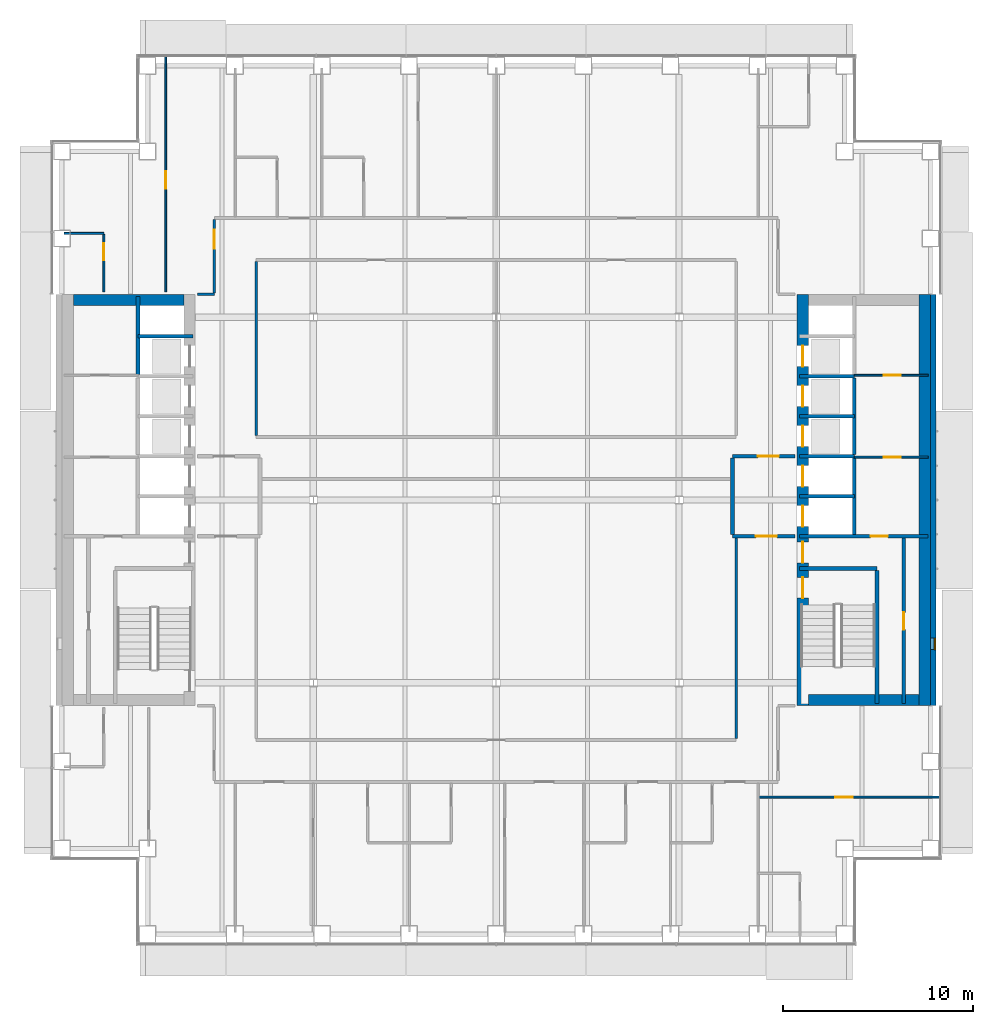
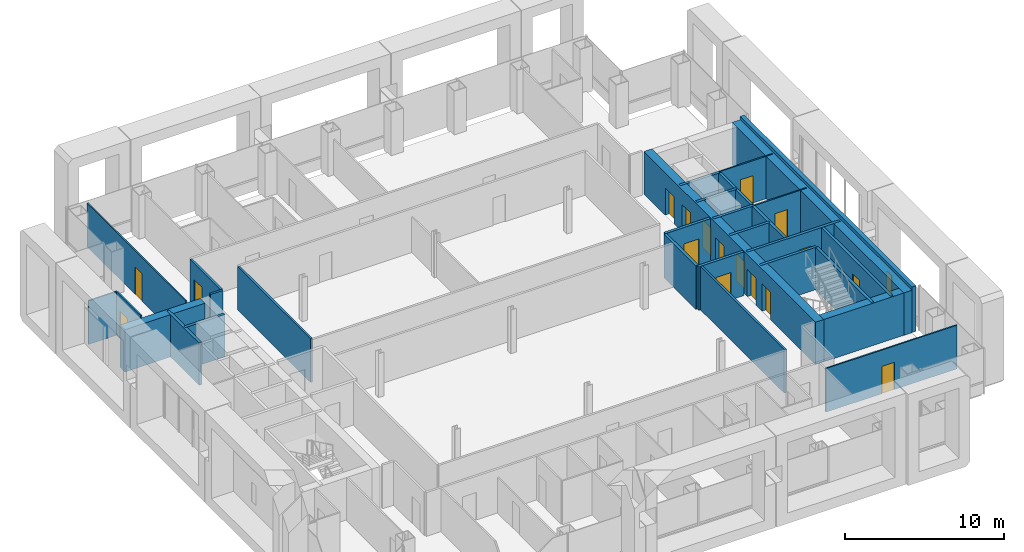
# One storey, part 12 of 19: 30 walls, 17 doors, 1 window, 18 openings.
"""IFC4 building model written with IfcOpenShell, lengths in metres."""

from ifc_helpers import new_model, si_unit, direction, frame, frame_2d, origin, place, context, subcontext, project, spatial, rectangle, extrude, material, layer, layer_set, type_object, element, fill, save


model = new_model("IFC4")

# Units and contexts
model_context = context("Model", 3, precision=1e-05, world=origin(), true_north=direction((0.0, 1.0)))
body_context = subcontext(model_context, "Body", "Model", "MODEL_VIEW")
ifc_project = project(units=[si_unit("LENGTHUNIT", "METRE"), si_unit("AREAUNIT", "SQUARE_METRE"), si_unit("VOLUMEUNIT", "CUBIC_METRE"), si_unit("PLANEANGLEUNIT", "RADIAN"), si_unit("MASSUNIT", "GRAM", prefix="KILO")], contexts=[model_context])

# Site, building, storey
site_placement = place(None, origin())
site = spatial("IfcSite", under=ifc_project, at=site_placement, CompositionType="ELEMENT")
building_placement = place(site_placement, origin())
building = spatial("IfcBuilding", under=site, at=building_placement, Name="Cobrizo Arcos Hotel Tower", CompositionType="ELEMENT")
storey_placement = place(building_placement, frame((0.0, 0.0, 103.0)))
storey = spatial("IfcBuildingStorey", under=building, at=storey_placement, Name="L25", CompositionType="ELEMENT", Elevation=103.0)

# Wall
ifc_material_1 = material(Name="Gypsum board partition")
ifc_layer_1 = layer(ifc_material_1, 0.14990234375)
ifc_layer_set_1 = layer_set([ifc_layer_1], Name="Corridor wall EI 60 150")
wall_type_1 = type_object("IfcWallType", Name="Corridor wall EI 60 150", PredefinedType="PARTITIONING", material=ifc_layer_set_1)
wall_1_placement = place(storey_placement, frame((-15.679931640625, 10.800048828125, 0.0), z_axis=(0.0, 0.0, 1.0), x_axis=(1.0, 0.0, 0.0)))
element("IfcWall", 1, at=wall_1_placement, inside=storey, type_object=wall_type_1, Name="Partition 035", PredefinedType="PARTITIONING", context=body_context, shape_type="SweptSolid", body=[
    extrude(rectangle(XDim=0.8798828125, YDim=0.14990234375, at=frame_2d((0.43994140625, 0.0))), origin(), (0.0, 0.0, 1.0), 3.35009765625),
])

# Wall, opening, door
wall_2_placement = place(storey_placement, frame((-14.800048828125, 10.875, 0.0), z_axis=(0.0, 0.0, 1.0), x_axis=(0.0, 1.0, 0.0)))
wall_2 = element("IfcWall", 2, at=wall_2_placement, inside=storey, type_object=wall_type_1, Name="Partition 053", PredefinedType="PARTITIONING", context=body_context, shape_type="SweptSolid", body=[
    extrude(rectangle(XDim=3.85009765625, YDim=0.14990234375, at=frame_2d((1.925048828125, 0.0))), origin(), (0.0, 0.0, 1.0), 3.35009765625),
])
opening_1_placement = place(wall_2_placement, frame((2.324951171875, 0.0, 0.0)))
opening_1 = element("IfcOpeningElement", 3, at=opening_1_placement, cuts=wall_2, Name="Opening GD-08", PredefinedType="OPENING", context=body_context, shape_type="SweptSolid", body=[
    extrude(rectangle(XDim=1.0, YDim=2.10009765625, at=frame_2d((0.5, 1.050048828125))), frame((0.0, 0.0869140625, 0.0), z_axis=(0.0, -1.0, 0.0), x_axis=(1.0, 0.0, 0.0)), (0.0, 0.0, 1.0), 0.173828125),
])
ifc_material_2 = material(Name="Timber door leaf", Category="wood")
door_type_1 = type_object("IfcDoorType", Name="Guest room door FD30S 1000x2100", OperationType="SINGLE_SWING_LEFT", PredefinedType="DOOR", material=ifc_material_2)
door_1_placement = place(opening_1_placement, origin())
door_1 = element("IfcDoor", 4, at=door_1_placement, inside=storey, type_object=door_type_1, Name="Door GD-08", OperationType="SINGLE_SWING_LEFT", OverallHeight=2.10009765625, OverallWidth=1.0, PredefinedType="DOOR", context=body_context, shape_type="SweptSolid", body=[
    extrude(rectangle(XDim=1.0, YDim=2.10009765625, at=frame_2d((0.5, 1.050048828125))), frame((0.0, 0.02490234375, 0.0), z_axis=(0.0, -1.0, 0.0), x_axis=(1.0, 0.0, 0.0)), (0.0, 0.0, 1.0), 0.050048828125),
])
fill(opening_1, door_1)

# Walls
wall_3_placement = place(storey_placement, frame((-12.60009765625, 3.375, 0.0), z_axis=(0.0, 0.0, 1.0), x_axis=(0.0, 1.0, 0.0)))
element("IfcWall", 5, at=wall_3_placement, inside=storey, type_object=wall_type_1, Name="Partition 057", PredefinedType="PARTITIONING", context=body_context, shape_type="SweptSolid", body=[
    extrude(rectangle(XDim=9.14990234375, YDim=0.14990234375, at=frame_2d((4.574951171875, 0.0))), origin(), (0.0, 0.0, 1.0), 3.35009765625),
])
wall_4_placement = place(storey_placement, frame((12.60009765625, -12.52490234375, 0.0), z_axis=(0.0, 0.0, 1.0), x_axis=(0.0, 1.0, 0.0)))
element("IfcWall", 6, at=wall_4_placement, inside=storey, type_object=wall_type_1, Name="Partition 080", PredefinedType="PARTITIONING", context=body_context, shape_type="SweptSolid", body=[
    extrude(rectangle(XDim=10.52490234375, YDim=0.14990234375, at=frame_2d((5.262451171875, 0.0))), origin(), (0.0, 0.0, 1.0), 3.35009765625),
])

# Wall, opening, window
ifc_material_3 = material(Name="Aluminium composite panel pale metal", Category="aluminium")
ifc_layer_2 = layer(ifc_material_3, 0.300048828125)
ifc_layer_set_2 = layer_set([ifc_layer_2], Name="EW-1 insulated panel wall 300")
wall_type_2 = type_object("IfcWallType", Name="EW-1 insulated panel wall 300", PredefinedType="SOLIDWALL", material=ifc_layer_set_2)
wall_5_placement = place(storey_placement, frame((22.949951171875, -10.800048828125, 0.0), z_axis=(0.0, 0.0, 1.0), x_axis=(0.0, 1.0, 0.0)))
wall_5 = element("IfcWall", 7, at=wall_5_placement, inside=storey, type_object=wall_type_2, Name="Core face wall L25 E", PredefinedType="SOLIDWALL", context=body_context, shape_type="SweptSolid", body=[
    extrude(rectangle(XDim=21.60009765625, YDim=0.300048828125, at=frame_2d((10.800048828125, 0.0))), origin(), (0.0, 0.0, 1.0), 3.5),
])
opening_2_placement = place(wall_5_placement, frame((2.949951171875, 0.0, 1.0)))
opening_2 = element("IfcOpeningElement", 8, at=opening_2_placement, cuts=wall_5, Name="Opening W-51", PredefinedType="OPENING", context=body_context, shape_type="SweptSolid", body=[
    extrude(rectangle(XDim=0.60009765625, YDim=1.5, at=frame_2d((0.300048828125, 0.75))), frame((0.0, 0.162109375, 0.0), z_axis=(0.0, -1.0, 0.0), x_axis=(1.0, 0.0, 0.0)), (0.0, 0.0, 1.0), 0.323974609375),
])
ifc_material_4 = material(Name="Aluminium 6063-T6 and clear laminated glass", Category="aluminium")
window_type = type_object("IfcWindowType", Name="W-C1 core stair slot window 600x1500", PartitioningType="SINGLE_PANEL", PredefinedType="WINDOW", material=ifc_material_4)
window_placement = place(opening_2_placement, origin())
window = element("IfcWindow", 9, at=window_placement, inside=storey, type_object=window_type, Name="Core face wall L25 E window W-51", OverallHeight=1.5, OverallWidth=0.60009765625, PartitioningType="SINGLE_PANEL", PredefinedType="WINDOW", context=body_context, shape_type="SweptSolid", body=[
    extrude(rectangle(XDim=0.60009765625, YDim=1.5, at=frame_2d((0.300048828125, 0.75))), frame((0.0, -0.06005859375, 0.0), z_axis=(0.0, -1.0, 0.0), x_axis=(1.0, 0.0, 0.0)), (0.0, 0.0, 1.0), 0.06005859375),
])
fill(opening_2, window)

# Wall, opening, door
ifc_layer_3 = layer(ifc_material_1, 0.10009765625)
ifc_layer_set_3 = layer_set([ifc_layer_3], Name="Partition EI 30 100")
wall_type_3 = type_object("IfcWallType", Name="Partition EI 30 100", PredefinedType="PARTITIONING", material=ifc_layer_set_3)
wall_6_placement = place(storey_placement, frame((13.75, -15.60009765625, 0.0), z_axis=(0.0, 0.0, 1.0), x_axis=(1.0, 0.0, 0.0)))
wall_6 = element("IfcWall", 10, at=wall_6_placement, inside=storey, type_object=wall_type_3, Name="Partition 005", PredefinedType="PARTITIONING", context=body_context, shape_type="SweptSolid", body=[
    extrude(rectangle(XDim=9.530029296875, YDim=0.10009765625, at=frame_2d((4.76513671875, 0.0))), origin(), (0.0, 0.0, 1.0), 3.35009765625),
])
opening_3_placement = place(wall_6_placement, frame((4.06201171875, 0.0, 0.0)))
opening_3 = element("IfcOpeningElement", 11, at=opening_3_placement, cuts=wall_6, Name="Opening RD-15", PredefinedType="OPENING", context=body_context, shape_type="SweptSolid", body=[
    extrude(rectangle(XDim=0.89990234375, YDim=2.10009765625, at=frame_2d((0.449951171875, 1.050048828125))), frame((0.0, 0.06201171875, 0.0), z_axis=(0.0, -1.0, 0.0), x_axis=(1.0, 0.0, 0.0)), (0.0, 0.0, 1.0), 0.1240234375),
])
door_type_2 = type_object("IfcDoorType", Name="Room door FD30 900x2100", OperationType="SINGLE_SWING_LEFT", PredefinedType="DOOR", material=ifc_material_2)
door_2_placement = place(opening_3_placement, origin())
door_2 = element("IfcDoor", 12, at=door_2_placement, inside=storey, type_object=door_type_2, Name="Door RD-15", OperationType="SINGLE_SWING_LEFT", OverallHeight=2.10009765625, OverallWidth=0.89990234375, PredefinedType="DOOR", context=body_context, shape_type="SweptSolid", body=[
    extrude(rectangle(XDim=0.89990234375, YDim=2.10009765625, at=frame_2d((0.449951171875, 1.050048828125))), frame((0.0, 0.02490234375, 0.0), z_axis=(0.0, -1.0, 0.0), x_axis=(1.0, 0.0, 0.0)), (0.0, 0.0, 1.0), 0.050048828125),
])
fill(opening_3, door_2)

wall_7_placement = place(storey_placement, frame((18.800048828125, 2.25, 0.0), z_axis=(0.0, 0.0, 1.0), x_axis=(1.0, 0.0, 0.0)))
wall_7 = element("IfcWall", 13, at=wall_7_placement, inside=storey, type_object=wall_type_3, Name="Partition 021", PredefinedType="PARTITIONING", context=body_context, shape_type="SweptSolid", body=[
    extrude(rectangle(XDim=3.8798828125, YDim=0.10009765625, at=frame_2d((1.93994140625, 0.0))), origin(), (0.0, 0.0, 1.0), 3.25),
])
opening_4_placement = place(wall_7_placement, frame((1.550048828125, 0.0, 0.0)))
opening_4 = element("IfcOpeningElement", 14, at=opening_4_placement, cuts=wall_7, Name="Opening RD-07", PredefinedType="OPENING", context=body_context, shape_type="SweptSolid", body=[
    extrude(rectangle(XDim=0.89990234375, YDim=2.10009765625, at=frame_2d((0.449951171875, 1.050048828125))), frame((0.0, 0.06201171875, 0.0), z_axis=(0.0, -1.0, 0.0), x_axis=(1.0, 0.0, 0.0)), (0.0, 0.0, 1.0), 0.1240234375),
])
door_3_placement = place(opening_4_placement, origin())
door_3 = element("IfcDoor", 15, at=door_3_placement, inside=storey, type_object=door_type_2, Name="Door RD-07", OperationType="SINGLE_SWING_RIGHT", OverallHeight=2.10009765625, OverallWidth=0.89990234375, PredefinedType="DOOR", context=body_context, shape_type="SweptSolid", body=[
    extrude(rectangle(XDim=0.89990234375, YDim=2.10009765625, at=frame_2d((0.449951171875, 1.050048828125))), frame((0.0, 0.02490234375, 0.0), z_axis=(0.0, -1.0, 0.0), x_axis=(1.0, 0.0, 0.0)), (0.0, 0.0, 1.0), 0.050048828125),
])
fill(opening_4, door_3)

wall_8_placement = place(storey_placement, frame((18.800048828125, 6.550048828125, 0.0), z_axis=(0.0, 0.0, 1.0), x_axis=(1.0, 0.0, 0.0)))
wall_8 = element("IfcWall", 16, at=wall_8_placement, inside=storey, type_object=wall_type_3, Name="Partition 032", PredefinedType="PARTITIONING", context=body_context, shape_type="SweptSolid", body=[
    extrude(rectangle(XDim=3.8798828125, YDim=0.10009765625, at=frame_2d((1.93994140625, 0.0))), origin(), (0.0, 0.0, 1.0), 3.25),
])
opening_5_placement = place(wall_8_placement, frame((1.550048828125, 0.0, 0.0)))
opening_5 = element("IfcOpeningElement", 17, at=opening_5_placement, cuts=wall_8, Name="Opening RD-08", PredefinedType="OPENING", context=body_context, shape_type="SweptSolid", body=[
    extrude(rectangle(XDim=0.89990234375, YDim=2.10009765625, at=frame_2d((0.449951171875, 1.050048828125))), frame((0.0, 0.06201171875, 0.0), z_axis=(0.0, -1.0, 0.0), x_axis=(1.0, 0.0, 0.0)), (0.0, 0.0, 1.0), 0.1240234375),
])
door_4_placement = place(opening_5_placement, origin())
door_4 = element("IfcDoor", 18, at=door_4_placement, inside=storey, type_object=door_type_2, Name="Door RD-08", OperationType="SINGLE_SWING_RIGHT", OverallHeight=2.10009765625, OverallWidth=0.89990234375, PredefinedType="DOOR", context=body_context, shape_type="SweptSolid", body=[
    extrude(rectangle(XDim=0.89990234375, YDim=2.10009765625, at=frame_2d((0.449951171875, 1.050048828125))), frame((0.0, 0.02490234375, 0.0), z_axis=(0.0, -1.0, 0.0), x_axis=(1.0, 0.0, 0.0)), (0.0, 0.0, 1.0), 0.050048828125),
])
fill(opening_5, door_4)

# Wall
wall_9_placement = place(storey_placement, frame((-22.679931640625, 14.0, 0.0), z_axis=(0.0, 0.0, 1.0), x_axis=(1.0, 0.0, 0.0)))
element("IfcWall", 19, at=wall_9_placement, inside=storey, type_object=wall_type_3, Name="Partition 038", PredefinedType="PARTITIONING", context=body_context, shape_type="SweptSolid", body=[
    extrude(rectangle(XDim=2.079833984375, YDim=0.10009765625, at=frame_2d((1.0400390625, 0.0))), origin(), (0.0, 0.0, 1.0), 3.35009765625),
])

# Wall, opening, door
wall_10_placement = place(storey_placement, frame((-20.60009765625, 10.919921875, 0.0), z_axis=(0.0, 0.0, 1.0), x_axis=(0.0, 1.0, 0.0)))
wall_10 = element("IfcWall", 20, at=wall_10_placement, inside=storey, type_object=wall_type_3, Name="Partition 045", PredefinedType="PARTITIONING", context=body_context, shape_type="SweptSolid", body=[
    extrude(rectangle(XDim=3.030029296875, YDim=0.10009765625, at=frame_2d((1.51513671875, 0.0))), origin(), (0.0, 0.0, 1.0), 3.35009765625),
])
opening_6_placement = place(wall_10_placement, frame((1.669921875, 0.0, 0.0)))
opening_6 = element("IfcOpeningElement", 21, at=opening_6_placement, cuts=wall_10, Name="Opening ED-08", PredefinedType="OPENING", context=body_context, shape_type="SweptSolid", body=[
    extrude(rectangle(XDim=0.89990234375, YDim=2.10009765625, at=frame_2d((0.449951171875, 1.050048828125))), frame((0.0, 0.06201171875, 0.0), z_axis=(0.0, -1.0, 0.0), x_axis=(1.0, 0.0, 0.0)), (0.0, 0.0, 1.0), 0.1240234375),
])
door_type_3 = type_object("IfcDoorType", Name="En-suite door 900x2100", OperationType="SINGLE_SWING_LEFT", PredefinedType="DOOR", material=ifc_material_2)
door_5_placement = place(opening_6_placement, origin())
door_5 = element("IfcDoor", 22, at=door_5_placement, inside=storey, type_object=door_type_3, Name="Door ED-08", OperationType="SINGLE_SWING_LEFT", OverallHeight=2.10009765625, OverallWidth=0.89990234375, PredefinedType="DOOR", context=body_context, shape_type="SweptSolid", body=[
    extrude(rectangle(XDim=0.89990234375, YDim=2.10009765625, at=frame_2d((0.449951171875, 1.050048828125))), frame((0.0, 0.02490234375, 0.0), z_axis=(0.0, -1.0, 0.0), x_axis=(1.0, 0.0, 0.0)), (0.0, 0.0, 1.0), 0.050048828125),
])
fill(opening_6, door_5)

wall_11_placement = place(storey_placement, frame((-17.35009765625, 10.919921875, 0.0), z_axis=(0.0, 0.0, 1.0), x_axis=(0.0, 1.0, 0.0)))
wall_11 = element("IfcWall", 23, at=wall_11_placement, inside=storey, type_object=wall_type_3, Name="Partition 051", PredefinedType="PARTITIONING", context=body_context, shape_type="SweptSolid", body=[
    extrude(rectangle(XDim=12.360107421875, YDim=0.10009765625, at=frame_2d((6.18017578125, 0.0))), origin(), (0.0, 0.0, 1.0), 3.35009765625),
])
opening_7_placement = place(wall_11_placement, frame((5.429931640625, 0.0, 0.0)))
opening_7 = element("IfcOpeningElement", 24, at=opening_7_placement, cuts=wall_11, Name="Opening RD-14", PredefinedType="OPENING", context=body_context, shape_type="SweptSolid", body=[
    extrude(rectangle(XDim=0.89990234375, YDim=2.10009765625, at=frame_2d((0.449951171875, 1.050048828125))), frame((0.0, 0.06201171875, 0.0), z_axis=(0.0, -1.0, 0.0), x_axis=(1.0, 0.0, 0.0)), (0.0, 0.0, 1.0), 0.1240234375),
])
door_6_placement = place(opening_7_placement, origin())
door_6 = element("IfcDoor", 25, at=door_6_placement, inside=storey, type_object=door_type_2, Name="Door RD-14", OperationType="SINGLE_SWING_LEFT", OverallHeight=2.10009765625, OverallWidth=0.89990234375, PredefinedType="DOOR", context=body_context, shape_type="SweptSolid", body=[
    extrude(rectangle(XDim=0.89990234375, YDim=2.10009765625, at=frame_2d((0.449951171875, 1.050048828125))), frame((0.0, 0.02490234375, 0.0), z_axis=(0.0, -1.0, 0.0), x_axis=(1.0, 0.0, 0.0)), (0.0, 0.0, 1.0), 0.050048828125),
])
fill(opening_7, door_6)

# Wall, openings, doors
ifc_material_5 = material(Name="Concrete f'c 50 MPa", Category="concrete")
ifc_layer_4 = layer(ifc_material_5, 0.60009765625)
ifc_layer_set_4 = layer_set([ifc_layer_4], Name="RC core wall 600 f'c 50")
wall_type_4 = type_object("IfcWallType", Name="RC core wall 600 f'c 50", PredefinedType="SHEAR", material=ifc_layer_set_4)
wall_12_placement = place(storey_placement, frame((16.10009765625, -10.800048828125, 0.0), z_axis=(0.0, 0.0, 1.0), x_axis=(0.0, 1.0, 0.0)))
wall_12 = element("IfcWall", 26, at=wall_12_placement, inside=storey, type_object=wall_type_4, Name="Core wall CW2, east core, inner face, L25", PredefinedType="SHEAR", context=body_context, shape_type="SweptSolid", body=[
    extrude(rectangle(XDim=21.60009765625, YDim=0.60009765625, at=frame_2d((10.800048828125, 0.0))), origin(), (0.0, 0.0, 1.0), 3.25),
])
opening_8_placement = place(wall_12_placement, frame((9.39990234375, 0.0, 0.0)))
opening_8 = element("IfcOpeningElement", 27, at=opening_8_placement, cuts=wall_12, Name="Opening LD-06", PredefinedType="OPENING", context=body_context, shape_type="SweptSolid", body=[
    extrude(rectangle(XDim=1.10009765625, YDim=2.10009765625, at=frame_2d((0.550048828125, 1.050048828125))), frame((0.0, 0.31201171875, 0.0), z_axis=(0.0, -1.0, 0.0), x_axis=(1.0, 0.0, 0.0)), (0.0, 0.0, 1.0), 0.6240234375),
])
opening_9_placement = place(wall_12_placement, frame((11.5, 0.0, 0.0)))
opening_9 = element("IfcOpeningElement", 28, at=opening_9_placement, cuts=wall_12, Name="Opening LD-07", PredefinedType="OPENING", context=body_context, shape_type="SweptSolid", body=[
    extrude(rectangle(XDim=1.10009765625, YDim=2.10009765625, at=frame_2d((0.550048828125, 1.050048828125))), frame((0.0, 0.31201171875, 0.0), z_axis=(0.0, -1.0, 0.0), x_axis=(1.0, 0.0, 0.0)), (0.0, 0.0, 1.0), 0.6240234375),
])
opening_10_placement = place(wall_12_placement, frame((13.60009765625, 0.0, 0.0)))
opening_10 = element("IfcOpeningElement", 29, at=opening_10_placement, cuts=wall_12, Name="Opening LD-08", PredefinedType="OPENING", context=body_context, shape_type="SweptSolid", body=[
    extrude(rectangle(XDim=1.10009765625, YDim=2.10009765625, at=frame_2d((0.550048828125, 1.050048828125))), frame((0.0, 0.31201171875, 0.0), z_axis=(0.0, -1.0, 0.0), x_axis=(1.0, 0.0, 0.0)), (0.0, 0.0, 1.0), 0.6240234375),
])
opening_11_placement = place(wall_12_placement, frame((15.699951171875, 0.0, 0.0)))
opening_11 = element("IfcOpeningElement", 30, at=opening_11_placement, cuts=wall_12, Name="Opening LD-09", PredefinedType="OPENING", context=body_context, shape_type="SweptSolid", body=[
    extrude(rectangle(XDim=1.10009765625, YDim=2.10009765625, at=frame_2d((0.550048828125, 1.050048828125))), frame((0.0, 0.31201171875, 0.0), z_axis=(0.0, -1.0, 0.0), x_axis=(1.0, 0.0, 0.0)), (0.0, 0.0, 1.0), 0.6240234375),
])
opening_12_placement = place(wall_12_placement, frame((17.800048828125, 0.0, 0.0)))
opening_12 = element("IfcOpeningElement", 31, at=opening_12_placement, cuts=wall_12, Name="Opening LD-10", PredefinedType="OPENING", context=body_context, shape_type="SweptSolid", body=[
    extrude(rectangle(XDim=1.10009765625, YDim=2.10009765625, at=frame_2d((0.550048828125, 1.050048828125))), frame((0.0, 0.31201171875, 0.0), z_axis=(0.0, -1.0, 0.0), x_axis=(1.0, 0.0, 0.0)), (0.0, 0.0, 1.0), 0.6240234375),
])
opening_13_placement = place(wall_12_placement, frame((5.64208984375, 0.0, 0.0)))
opening_13 = element("IfcOpeningElement", 32, at=opening_13_placement, cuts=wall_12, Name="Opening SD-02", PredefinedType="OPENING", context=body_context, shape_type="SweptSolid", body=[
    extrude(rectangle(XDim=1.10009765625, YDim=2.10009765625, at=frame_2d((0.550048828125, 1.050048828125))), frame((0.0, 0.31201171875, 0.0), z_axis=(0.0, -1.0, 0.0), x_axis=(1.0, 0.0, 0.0)), (0.0, 0.0, 1.0), 0.6240234375),
])
opening_14_placement = place(wall_12_placement, frame((7.5, 0.0, 0.0)))
opening_14 = element("IfcOpeningElement", 33, at=opening_14_placement, cuts=wall_12, Name="Opening FD-04", PredefinedType="OPENING", context=body_context, shape_type="SweptSolid", body=[
    extrude(rectangle(XDim=1.10009765625, YDim=2.10009765625, at=frame_2d((0.550048828125, 1.050048828125))), frame((0.0, 0.31201171875, 0.0), z_axis=(0.0, -1.0, 0.0), x_axis=(1.0, 0.0, 0.0)), (0.0, 0.0, 1.0), 0.6240234375),
])
ifc_material_6 = material(Name="Steel door leaf", Category="steel")
door_type_4 = type_object("IfcDoorType", Name="Fire door FD60 1100x2100", OperationType="SINGLE_SWING_LEFT", PredefinedType="DOOR", material=ifc_material_6)
door_7_placement = place(opening_14_placement, origin())
door_7 = element("IfcDoor", 34, at=door_7_placement, inside=storey, type_object=door_type_4, Name="Door FD-04", OperationType="SINGLE_SWING_LEFT", OverallHeight=2.10009765625, OverallWidth=1.10009765625, PredefinedType="DOOR", context=body_context, shape_type="SweptSolid", body=[
    extrude(rectangle(XDim=1.10009765625, YDim=2.10009765625, at=frame_2d((0.550048828125, 1.050048828125))), frame((0.0, 0.02490234375, 0.0), z_axis=(0.0, -1.0, 0.0), x_axis=(1.0, 0.0, 0.0)), (0.0, 0.0, 1.0), 0.050048828125),
])
fill(opening_14, door_7)
door_type_5 = type_object("IfcDoorType", Name="Lift landing door 1100x2100", OperationType="SLIDING_TO_LEFT", PredefinedType="DOOR", material=ifc_material_6)
door_8_placement = place(opening_8_placement, origin())
door_8 = element("IfcDoor", 35, at=door_8_placement, inside=storey, type_object=door_type_5, Name="Lift landing door LD-06", OperationType="SLIDING_TO_LEFT", OverallHeight=2.10009765625, OverallWidth=1.10009765625, PredefinedType="DOOR", context=body_context, shape_type="SweptSolid", body=[
    extrude(rectangle(XDim=1.10009765625, YDim=2.10009765625, at=frame_2d((0.550048828125, 1.050048828125))), frame((0.0, 0.02490234375, 0.0), z_axis=(0.0, -1.0, 0.0), x_axis=(1.0, 0.0, 0.0)), (0.0, 0.0, 1.0), 0.050048828125),
])
fill(opening_8, door_8)
door_9_placement = place(opening_9_placement, origin())
door_9 = element("IfcDoor", 36, at=door_9_placement, inside=storey, type_object=door_type_5, Name="Lift landing door LD-07", OperationType="SLIDING_TO_LEFT", OverallHeight=2.10009765625, OverallWidth=1.10009765625, PredefinedType="DOOR", context=body_context, shape_type="SweptSolid", body=[
    extrude(rectangle(XDim=1.10009765625, YDim=2.10009765625, at=frame_2d((0.550048828125, 1.050048828125))), frame((0.0, 0.02490234375, 0.0), z_axis=(0.0, -1.0, 0.0), x_axis=(1.0, 0.0, 0.0)), (0.0, 0.0, 1.0), 0.050048828125),
])
fill(opening_9, door_9)
door_10_placement = place(opening_10_placement, origin())
door_10 = element("IfcDoor", 37, at=door_10_placement, inside=storey, type_object=door_type_5, Name="Lift landing door LD-08", OperationType="SLIDING_TO_LEFT", OverallHeight=2.10009765625, OverallWidth=1.10009765625, PredefinedType="DOOR", context=body_context, shape_type="SweptSolid", body=[
    extrude(rectangle(XDim=1.10009765625, YDim=2.10009765625, at=frame_2d((0.550048828125, 1.050048828125))), frame((0.0, 0.02490234375, 0.0), z_axis=(0.0, -1.0, 0.0), x_axis=(1.0, 0.0, 0.0)), (0.0, 0.0, 1.0), 0.050048828125),
])
fill(opening_10, door_10)
door_11_placement = place(opening_11_placement, origin())
door_11 = element("IfcDoor", 38, at=door_11_placement, inside=storey, type_object=door_type_5, Name="Lift landing door LD-09", OperationType="SLIDING_TO_LEFT", OverallHeight=2.10009765625, OverallWidth=1.10009765625, PredefinedType="DOOR", context=body_context, shape_type="SweptSolid", body=[
    extrude(rectangle(XDim=1.10009765625, YDim=2.10009765625, at=frame_2d((0.550048828125, 1.050048828125))), frame((0.0, 0.02490234375, 0.0), z_axis=(0.0, -1.0, 0.0), x_axis=(1.0, 0.0, 0.0)), (0.0, 0.0, 1.0), 0.050048828125),
])
fill(opening_11, door_11)
door_12_placement = place(opening_12_placement, origin())
door_12 = element("IfcDoor", 39, at=door_12_placement, inside=storey, type_object=door_type_5, Name="Lift landing door LD-10", OperationType="SLIDING_TO_LEFT", OverallHeight=2.10009765625, OverallWidth=1.10009765625, PredefinedType="DOOR", context=body_context, shape_type="SweptSolid", body=[
    extrude(rectangle(XDim=1.10009765625, YDim=2.10009765625, at=frame_2d((0.550048828125, 1.050048828125))), frame((0.0, 0.02490234375, 0.0), z_axis=(0.0, -1.0, 0.0), x_axis=(1.0, 0.0, 0.0)), (0.0, 0.0, 1.0), 0.050048828125),
])
fill(opening_12, door_12)
door_type_6 = type_object("IfcDoorType", Name="Stair door FD60S 1100x2100", OperationType="SINGLE_SWING_LEFT", PredefinedType="DOOR", material=ifc_material_6)
door_13_placement = place(opening_13_placement, origin())
door_13 = element("IfcDoor", 40, at=door_13_placement, inside=storey, type_object=door_type_6, Name="Door SD-02", OperationType="SINGLE_SWING_LEFT", OverallHeight=2.10009765625, OverallWidth=1.10009765625, PredefinedType="DOOR", context=body_context, shape_type="SweptSolid", body=[
    extrude(rectangle(XDim=1.10009765625, YDim=2.10009765625, at=frame_2d((0.550048828125, 1.050048828125))), frame((0.0, 0.02490234375, 0.0), z_axis=(0.0, -1.0, 0.0), x_axis=(1.0, 0.0, 0.0)), (0.0, 0.0, 1.0), 0.050048828125),
])
fill(opening_13, door_13)

# Walls
wall_13_placement = place(storey_placement, frame((22.5, -10.800048828125, 0.0), z_axis=(0.0, 0.0, 1.0), x_axis=(0.0, 1.0, 0.0)))
element("IfcWall", 41, at=wall_13_placement, inside=storey, type_object=wall_type_4, Name="Core wall CW2, east core, outer face, L25", PredefinedType="SHEAR", context=body_context, shape_type="SweptSolid", body=[
    extrude(rectangle(XDim=21.60009765625, YDim=0.60009765625, at=frame_2d((10.800048828125, 0.0))), origin(), (0.0, 0.0, 1.0), 3.25),
])
for number, where, z_axis, x_axis, name in (
    (42, (16.39990234375, -10.5, 0.0), (0.0, 0.0, 1.0), (1.0, 0.0, 0.0), "Core wall CW2, east core, south end, L25"),
    (43, (-22.199951171875, 10.5, 0.0), (0.0, 0.0, 1.0), (1.0, 0.0, 0.0), "Core wall CW2, west core, north end, L25"),
):
    element("IfcWall", number, at=place(storey_placement, frame(where, z_axis=z_axis, x_axis=x_axis)), inside=storey, type_object=wall_type_4, Name=name, PredefinedType="SHEAR", context=body_context, shape_type="SweptSolid", body=[
        extrude(rectangle(XDim=5.800048828125, YDim=0.60009765625, at=frame_2d((2.89990234375, 0.0))), origin(), (0.0, 0.0, 1.0), 3.25),
    ])

# Wall, opening, door
ifc_layer_5 = layer(ifc_material_1, 0.199951171875)
ifc_layer_set_5 = layer_set([ifc_layer_5], Name="Shaft wall EI 120 200")
wall_type_5 = type_object("IfcWallType", Name="Shaft wall EI 120 200", PredefinedType="PARTITIONING", material=ifc_layer_set_5)
wall_14_placement = place(storey_placement, frame((12.39990234375, -1.89990234375, 0.0), z_axis=(0.0, 0.0, 1.0), x_axis=(1.0, 0.0, 0.0)))
wall_14 = element("IfcWall", 44, at=wall_14_placement, inside=storey, type_object=wall_type_5, Name="Partition 015", PredefinedType="PARTITIONING", context=body_context, shape_type="SweptSolid", body=[
    extrude(rectangle(XDim=3.280029296875, YDim=0.199951171875, at=frame_2d((1.64013671875, 0.0))), origin(), (0.0, 0.0, 1.0), 3.35009765625),
])
opening_15_placement = place(wall_14_placement, frame((1.239990234375, 0.0, 0.0)))
opening_15 = element("IfcOpeningElement", 45, at=opening_15_placement, cuts=wall_14, Name="Opening FD-05", PredefinedType="OPENING", context=body_context, shape_type="SweptSolid", body=[
    extrude(rectangle(XDim=1.10009765625, YDim=2.10009765625, at=frame_2d((0.550048828125, 1.050048828125))), frame((0.0, 0.112060546875, 0.0), z_axis=(0.0, -1.0, 0.0), x_axis=(1.0, 0.0, 0.0)), (0.0, 0.0, 1.0), 0.223876953125),
])
door_14_placement = place(opening_15_placement, origin())
door_14 = element("IfcDoor", 46, at=door_14_placement, inside=storey, type_object=door_type_4, Name="Door FD-05", OperationType="SINGLE_SWING_LEFT", OverallHeight=2.10009765625, OverallWidth=1.10009765625, PredefinedType="DOOR", context=body_context, shape_type="SweptSolid", body=[
    extrude(rectangle(XDim=1.10009765625, YDim=2.10009765625, at=frame_2d((0.550048828125, 1.050048828125))), frame((0.0, 0.02490234375, 0.0), z_axis=(0.0, -1.0, 0.0), x_axis=(1.0, 0.0, 0.0)), (0.0, 0.0, 1.0), 0.050048828125),
])
fill(opening_15, door_14)

wall_15_placement = place(storey_placement, frame((15.919921875, -1.89990234375, 0.0), z_axis=(0.0, 0.0, 1.0), x_axis=(1.0, 0.0, 0.0)))
wall_15 = element("IfcWall", 47, at=wall_15_placement, inside=storey, type_object=wall_type_5, Name="Partition 016", PredefinedType="PARTITIONING", context=body_context, shape_type="SweptSolid", body=[
    extrude(rectangle(XDim=6.760009765625, YDim=0.199951171875, at=frame_2d((3.3798828125, 0.0))), origin(), (0.0, 0.0, 1.0), 3.25),
])
opening_16_placement = place(wall_15_placement, frame((3.739990234375, 0.0, 0.0)))
opening_16 = element("IfcOpeningElement", 48, at=opening_16_placement, cuts=wall_15, Name="Opening RD-06", PredefinedType="OPENING", context=body_context, shape_type="SweptSolid", body=[
    extrude(rectangle(XDim=0.89990234375, YDim=2.10009765625, at=frame_2d((0.449951171875, 1.050048828125))), frame((0.0, 0.112060546875, 0.0), z_axis=(0.0, -1.0, 0.0), x_axis=(1.0, 0.0, 0.0)), (0.0, 0.0, 1.0), 0.223876953125),
])
door_15_placement = place(opening_16_placement, origin())
door_15 = element("IfcDoor", 49, at=door_15_placement, inside=storey, type_object=door_type_2, Name="Door RD-06", OperationType="SINGLE_SWING_RIGHT", OverallHeight=2.10009765625, OverallWidth=0.89990234375, PredefinedType="DOOR", context=body_context, shape_type="SweptSolid", body=[
    extrude(rectangle(XDim=0.89990234375, YDim=2.10009765625, at=frame_2d((0.449951171875, 1.050048828125))), frame((0.0, 0.02490234375, 0.0), z_axis=(0.0, -1.0, 0.0), x_axis=(1.0, 0.0, 0.0)), (0.0, 0.0, 1.0), 0.050048828125),
])
fill(opening_16, door_15)

# Wall
wall_16_placement = place(storey_placement, frame((15.919921875, 0.199951171875, 0.0), z_axis=(0.0, 0.0, 1.0), x_axis=(1.0, 0.0, 0.0)))
element("IfcWall", 50, at=wall_16_placement, inside=storey, type_object=wall_type_5, Name="Partition 018", PredefinedType="PARTITIONING", context=body_context, shape_type="SweptSolid", body=[
    extrude(rectangle(XDim=2.880126953125, YDim=0.199951171875, at=frame_2d((1.43994140625, 0.0))), origin(), (0.0, 0.0, 1.0), 3.25),
])

# Wall, opening, door
wall_17_placement = place(storey_placement, frame((12.39990234375, 2.300048828125, 0.0), z_axis=(0.0, 0.0, 1.0), x_axis=(1.0, 0.0, 0.0)))
wall_17 = element("IfcWall", 51, at=wall_17_placement, inside=storey, type_object=wall_type_5, Name="Partition 024", PredefinedType="PARTITIONING", context=body_context, shape_type="SweptSolid", body=[
    extrude(rectangle(XDim=3.280029296875, YDim=0.199951171875, at=frame_2d((1.64013671875, 0.0))), origin(), (0.0, 0.0, 1.0), 3.35009765625),
])
opening_17_placement = place(wall_17_placement, frame((1.340087890625, 0.0, 0.0)))
opening_17 = element("IfcOpeningElement", 52, at=opening_17_placement, cuts=wall_17, Name="Opening FD-06", PredefinedType="OPENING", context=body_context, shape_type="SweptSolid", body=[
    extrude(rectangle(XDim=1.10009765625, YDim=2.10009765625, at=frame_2d((0.550048828125, 1.050048828125))), frame((0.0, 0.112060546875, 0.0), z_axis=(0.0, -1.0, 0.0), x_axis=(1.0, 0.0, 0.0)), (0.0, 0.0, 1.0), 0.223876953125),
])
door_16_placement = place(opening_17_placement, origin())
door_16 = element("IfcDoor", 53, at=door_16_placement, inside=storey, type_object=door_type_4, Name="Door FD-06", OperationType="SINGLE_SWING_RIGHT", OverallHeight=2.10009765625, OverallWidth=1.10009765625, PredefinedType="DOOR", context=body_context, shape_type="SweptSolid", body=[
    extrude(rectangle(XDim=1.10009765625, YDim=2.10009765625, at=frame_2d((0.550048828125, 1.050048828125))), frame((0.0, 0.02490234375, 0.0), z_axis=(0.0, -1.0, 0.0), x_axis=(1.0, 0.0, 0.0)), (0.0, 0.0, 1.0), 0.050048828125),
])
fill(opening_17, door_16)

# Walls
for number, where, z_axis, x_axis, name in (
    (54, (15.919921875, 2.300048828125, 0.0), (0.0, 0.0, 1.0), (1.0, 0.0, 0.0), "Partition 025"),
    (55, (15.919921875, 4.39990234375, 0.0), (0.0, 0.0, 1.0), (1.0, 0.0, 0.0), "Partition 028"),
    (56, (15.919921875, 6.5, 0.0), (0.0, 0.0, 1.0), (1.0, 0.0, 0.0), "Partition 030"),
    (57, (-18.800048828125, 8.60009765625, 0.0), (0.0, 0.0, 1.0), (1.0, 0.0, 0.0), "Partition 033"),
):
    element("IfcWall", number, at=place(storey_placement, frame(where, z_axis=z_axis, x_axis=x_axis)), inside=storey, type_object=wall_type_5, Name=name, PredefinedType="PARTITIONING", context=body_context, shape_type="SweptSolid", body=[
        extrude(rectangle(XDim=2.880126953125, YDim=0.199951171875, at=frame_2d((1.43994140625, 0.0))), origin(), (0.0, 0.0, 1.0), 3.25),
    ])
wall_18_placement = place(storey_placement, frame((-18.800048828125, 6.60009765625, 0.0), z_axis=(0.0, 0.0, 1.0), x_axis=(0.0, 1.0, 0.0)))
element("IfcWall", 58, at=wall_18_placement, inside=storey, type_object=wall_type_5, Name="Partition 049", PredefinedType="PARTITIONING", context=body_context, shape_type="SweptSolid", body=[
    extrude(rectangle(XDim=4.079833984375, YDim=0.199951171875, at=frame_2d((2.0400390625, 0.0))), origin(), (0.0, 0.0, 1.0), 3.25),
])
wall_19_placement = place(storey_placement, frame((12.39990234375, -1.800048828125, 0.0), z_axis=(0.0, 0.0, 1.0), x_axis=(0.0, 1.0, 0.0)))
element("IfcWall", 59, at=wall_19_placement, inside=storey, type_object=wall_type_5, Name="Partition 079", PredefinedType="PARTITIONING", context=body_context, shape_type="SweptSolid", body=[
    extrude(rectangle(XDim=4.0, YDim=0.199951171875, at=frame_2d((2.0, 0.0))), origin(), (0.0, 0.0, 1.0), 3.35009765625),
])
for number, where, z_axis, x_axis, name in (
    (60, (18.800048828125, -1.800048828125, 0.0), (0.0, 0.0, 1.0), (0.0, 1.0, 0.0), "Partition 088"),
    (61, (18.800048828125, 2.39990234375, 0.0), (0.0, 0.0, 1.0), (0.0, 1.0, 0.0), "Partition 089"),
):
    element("IfcWall", number, at=place(storey_placement, frame(where, z_axis=z_axis, x_axis=x_axis)), inside=storey, type_object=wall_type_5, Name=name, PredefinedType="PARTITIONING", context=body_context, shape_type="SweptSolid", body=[
        extrude(rectangle(XDim=4.0, YDim=0.199951171875, at=frame_2d((2.0, 0.0))), origin(), (0.0, 0.0, 1.0), 3.25),
    ])

# Wall, opening, door
wall_20_placement = place(storey_placement, frame((21.39990234375, -10.679931640625, 0.0), z_axis=(0.0, 0.0, 1.0), x_axis=(0.0, 1.0, 0.0)))
wall_20 = element("IfcWall", 62, at=wall_20_placement, inside=storey, type_object=wall_type_5, Name="Partition 092", PredefinedType="PARTITIONING", context=body_context, shape_type="SweptSolid", body=[
    extrude(rectangle(XDim=8.679931640625, YDim=0.199951171875, at=frame_2d((4.33984375, 0.0))), origin(), (0.0, 0.0, 1.0), 3.25),
])
opening_18_placement = place(wall_20_placement, frame((3.8798828125, 0.0, 0.0)))
opening_18 = element("IfcOpeningElement", 63, at=opening_18_placement, cuts=wall_20, Name="Opening RD-05", PredefinedType="OPENING", context=body_context, shape_type="SweptSolid", body=[
    extrude(rectangle(XDim=0.89990234375, YDim=2.10009765625, at=frame_2d((0.449951171875, 1.050048828125))), frame((0.0, 0.112060546875, 0.0), z_axis=(0.0, -1.0, 0.0), x_axis=(1.0, 0.0, 0.0)), (0.0, 0.0, 1.0), 0.223876953125),
])
door_17_placement = place(opening_18_placement, origin())
door_17 = element("IfcDoor", 64, at=door_17_placement, inside=storey, type_object=door_type_2, Name="Door RD-05", OperationType="SINGLE_SWING_RIGHT", OverallHeight=2.10009765625, OverallWidth=0.89990234375, PredefinedType="DOOR", context=body_context, shape_type="SweptSolid", body=[
    extrude(rectangle(XDim=0.89990234375, YDim=2.10009765625, at=frame_2d((0.449951171875, 1.050048828125))), frame((0.0, 0.02490234375, 0.0), z_axis=(0.0, -1.0, 0.0), x_axis=(1.0, 0.0, 0.0)), (0.0, 0.0, 1.0), 0.050048828125),
])
fill(opening_18, door_17)

# Walls
ifc_material_7 = material(Name="Concrete f'c 40 MPa", Category="concrete")
ifc_layer_6 = layer(ifc_material_7, 0.199951171875)
ifc_layer_set_6 = layer_set([ifc_layer_6], Name="Stair shaft wall 200")
wall_type_6 = type_object("IfcWallType", Name="Stair shaft wall 200", PredefinedType="SHEAR", material=ifc_layer_set_6)
wall_21_placement = place(storey_placement, frame((15.919921875, -3.60009765625, 0.0), z_axis=(0.0, 0.0, 1.0), x_axis=(1.0, 0.0, 0.0)))
element("IfcWall", 65, at=wall_21_placement, inside=storey, type_object=wall_type_6, Name="Stair shaft wall E", PredefinedType="SHEAR", context=body_context, shape_type="SweptSolid", body=[
    extrude(rectangle(XDim=4.080078125, YDim=0.199951171875, at=frame_2d((2.0400390625, 0.0))), origin(), (0.0, 0.0, 1.0), 3.25),
])
wall_22_placement = place(storey_placement, frame((20.0, -10.679931640625, 0.0), z_axis=(0.0, 0.0, 1.0), x_axis=(0.0, 1.0, 0.0)))
element("IfcWall", 66, at=wall_22_placement, inside=storey, type_object=wall_type_6, Name="Stair shaft wall E", PredefinedType="SHEAR", context=body_context, shape_type="SweptSolid", body=[
    extrude(rectangle(XDim=6.97998046875, YDim=0.199951171875, at=frame_2d((3.489990234375, 0.0))), origin(), (0.0, 0.0, 1.0), 3.25),
])

save(model, "model.ifc")
